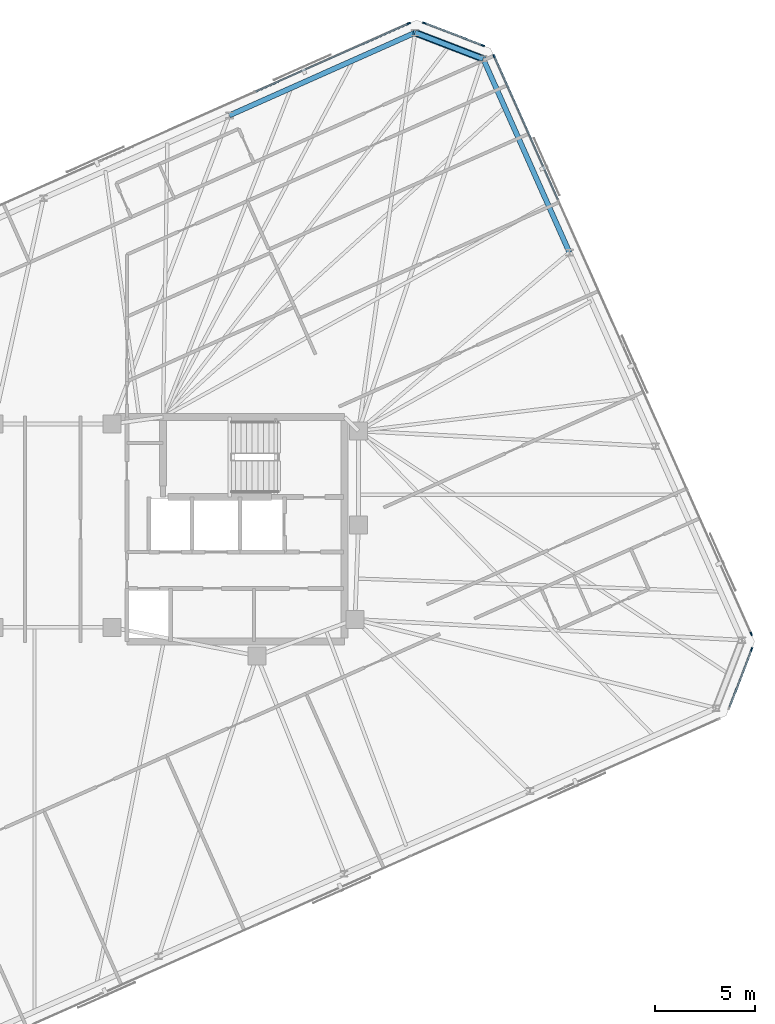
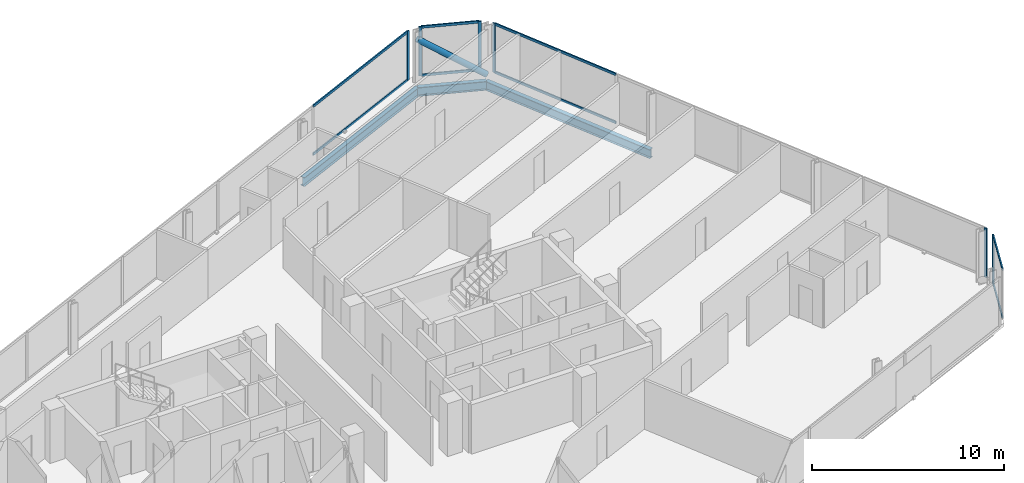
# One storey, part 11 of 19: 15 members, 3 beams, 4 elements without a shape of their own.
"""IFC4 building model written with IfcOpenShell, lengths in metres."""

import ifcopenshell
import ifcopenshell.guid

model = None  # the IFC model being written
_history = None  # IfcOwnerHistory: only IFC2X3 demands one
_inside = {}  # id of a spatial element -> (the spatial element, [elements in it])
_under = {}  # id of a project, library or spatial element -> (it, [spatial elements below it])
_declared = {}  # id of a project -> (the project, [libraries it declares])
_typed = {}  # id of a type object -> (the type object, [elements of that type])
_made_of = {}  # id of a material, layer set ... -> (it, [elements and type objects made of it])


def new_model(schema):
    """Start an empty IFC model of exactly this schema.

    Asked for "IFC4X3", IfcOpenShell would pick the latest addendum, in which some entities
    have other attributes; the version numbers below select the first issue.
    IFC2X3 requires an IfcOwnerHistory on every rooted entity: one is made here for all.
    """
    global model, _history
    if schema == "IFC4X3":
        model = ifcopenshell.file(schema_version=(4, 3, 0, 0))
    else:
        model = ifcopenshell.file(schema=schema)
    _inside.clear()
    _under.clear()
    _declared.clear()
    _typed.clear()
    _made_of.clear()
    _history = None
    if model.schema == "IFC2X3":
        org = make("IfcOrganization", Name="unknown")
        user = make(
            "IfcPersonAndOrganization",
            ThePerson=make("IfcPerson", FamilyName="unknown"),
            TheOrganization=org,
        )
        app = make(
            "IfcApplication",
            ApplicationDeveloper=org,
            Version="unknown",
            ApplicationFullName="unknown",
            ApplicationIdentifier="unknown",
        )
        _history = make(
            "IfcOwnerHistory",
            OwningUser=user,
            OwningApplication=app,
            ChangeAction="ADDED",
            CreationDate=0,
        )
    return model


def make(cls, **values):
    """One entity of the class cls with the attributes given. An attribute that is None is left unset."""
    return model.create_entity(
        cls, **{name: value for name, value in values.items() if value is not None}
    )


def rooted(cls, **values):
    """An entity with a GlobalId (a new one), such as an element, a storey or a relation."""
    return make(cls, GlobalId=ifcopenshell.guid.new(), OwnerHistory=_history, **values)


def si_unit(unit_type, name, prefix=None):
    """IfcSIUnit, for example si_unit("LENGTHUNIT", "METRE", prefix="MILLI")."""
    return make("IfcSIUnit", UnitType=unit_type, Prefix=prefix, Name=name)


def assignment(units):
    """IfcUnitAssignment: the units of a project."""
    return None if units is None else make("IfcUnitAssignment", Units=units)


def point(xyz):
    """IfcCartesianPoint."""
    return None if xyz is None else make("IfcCartesianPoint", Coordinates=xyz)


def direction(xyz):
    """IfcDirection."""
    return None if xyz is None else make("IfcDirection", DirectionRatios=xyz)


def frame(location, z_axis=None, x_axis=None):
    """IfcAxis2Placement3D, a coordinate frame: its origin and axes. An axis left out is left unset."""
    return make(
        "IfcAxis2Placement3D",
        Location=point(location),
        Axis=direction(z_axis),
        RefDirection=direction(x_axis),
    )


def frame_2d(location, x_axis=None):
    """IfcAxis2Placement2D, a coordinate frame in the plane: its origin and x axis."""
    return make(
        "IfcAxis2Placement2D", Location=point(location), RefDirection=direction(x_axis)
    )


def origin():
    """The frame at (0, 0, 0) with its axes left unset."""
    return frame((0.0, 0.0, 0.0))


def origin_2d():
    """The frame at (0, 0) in the plane with its x axis left unset."""
    return frame_2d((0.0, 0.0))


def place(relative_to, where):
    """IfcLocalPlacement: puts the frame where relative to a parent placement (None: the world)."""
    return make(
        "IfcLocalPlacement", PlacementRelTo=relative_to, RelativePlacement=where
    )


def context(
    kind, dimensions, precision=None, world=None, true_north=None, identifier=None
):
    """IfcGeometricRepresentationContext, for example the 3D "Model" context."""
    return make(
        "IfcGeometricRepresentationContext",
        ContextIdentifier=identifier,
        ContextType=kind,
        CoordinateSpaceDimension=dimensions,
        Precision=precision,
        WorldCoordinateSystem=world,
        TrueNorth=true_north,
    )


def subcontext(parent, identifier, kind, view, scale=None):
    """IfcGeometricRepresentationSubContext, for example "Body" below "Model"."""
    return make(
        "IfcGeometricRepresentationSubContext",
        ContextIdentifier=identifier,
        ContextType=kind,
        ParentContext=parent,
        TargetScale=scale,
        TargetView=view,
    )


def project(units=None, contexts=None):
    """IfcProject with its units and contexts."""
    return rooted(
        "IfcProject",
        Name="project",
        RepresentationContexts=contexts,
        UnitsInContext=assignment(units),
    )


def spatial(cls, under=None, at=None, **own):
    """A site, building, storey or space (cls), placed at a placement, below another one or the project."""
    s = rooted(cls, ObjectPlacement=at, **own)
    if under is not None:
        _under.setdefault(under.id(), (under, []))[1].append(s)
    return s


def profile(cls, at=None, kind="AREA", **sizes):
    """A parametric profile (cls). Its sizes go by their IFC names, for example OverallWidth=200.0."""
    return make(cls, ProfileType=kind, Position=at, **sizes)


def rectangle(**sizes):
    """IfcRectangleProfileDef."""
    return profile("IfcRectangleProfileDef", **sizes)


def hollow_circle(**sizes):
    """IfcCircleHollowProfileDef."""
    return profile("IfcCircleHollowProfileDef", **sizes)


def i_section(**sizes):
    """IfcIShapeProfileDef."""
    return profile("IfcIShapeProfileDef", **sizes)


def extrude(swept, where, along, depth):
    """IfcExtrudedAreaSolid: the profile swept, set in the frame where, extruded along a direction by depth."""
    return make(
        "IfcExtrudedAreaSolid",
        SweptArea=swept,
        Position=where,
        ExtrudedDirection=direction(along),
        Depth=depth,
    )


def shape(context_of_items, identifier, shape_type, items):
    """IfcShapeRepresentation: the items that make up one representation, for example the "Body"."""
    return make(
        "IfcShapeRepresentation",
        ContextOfItems=context_of_items,
        RepresentationIdentifier=identifier,
        RepresentationType=shape_type,
        Items=items,
    )


def material(Name=None, Category=None):
    """IfcMaterial."""
    return make("IfcMaterial", Name=Name, Category=Category)


def material_profile(
    of_material, cross_section, Name=None, Category=None, Priority=None
):
    """IfcMaterialProfile: a cross section and its material."""
    return make(
        "IfcMaterialProfile",
        Name=Name,
        Material=of_material,
        Profile=cross_section,
        Priority=Priority,
        Category=Category,
    )


def profile_set(profiles, Name=None, composite=None):
    """IfcMaterialProfileSet."""
    return make(
        "IfcMaterialProfileSet",
        Name=Name,
        MaterialProfiles=profiles,
        CompositeProfile=composite,
    )


def made_of(thing, what):
    """Note that an element or type object is made of a material, layer set ...; save() writes the relation."""
    if what is not None:
        _made_of.setdefault(what.id(), (what, []))[1].append(thing)
    return thing


def type_object(cls, material=None, **own):
    """A type object (cls), such as IfcWallType, which elements share."""
    return made_of(rooted(cls, **own), material)


def element(
    cls,
    number,
    at=None,
    inside=None,
    cuts=None,
    type_object=None,
    material=None,
    context=None,
    identifier="Body",
    shape_type=None,
    held_by="IfcProductDefinitionShape",
    body=None,
    shapes=None,
    **own,
):
    """One element of the class cls, such as IfcWall. Its Tag is "e" and its number.

    at: its placement. inside: the storey or other place that contains it. cuts: it is an
    opening in that element (IfcRelVoidsElement). A single representation is given by context,
    identifier, shape_type and body (its items); several are given by shapes. held_by: the class
    of the entity that holds the representations. save() writes the other relations.
    """
    e = rooted(cls, Tag="e%d" % number, ObjectPlacement=at, **own)
    if body is not None:
        shapes = [shape(context, identifier, shape_type, body)]
    if shapes is not None:
        e.Representation = make(held_by, Representations=shapes)
    if inside is not None:
        _inside.setdefault(inside.id(), (inside, []))[1].append(e)
    if cuts is not None:
        rooted(
            "IfcRelVoidsElement", RelatingBuildingElement=cuts, RelatedOpeningElement=e
        )
    if type_object is not None:
        _typed.setdefault(type_object.id(), (type_object, []))[1].append(e)
    return made_of(e, material)


def aggregate(whole, parts):
    """IfcRelAggregates: a whole, such as a stair, and the parts it consists of."""
    return rooted("IfcRelAggregates", RelatingObject=whole, RelatedObjects=parts)


def save(model, path):
    """Write the relations noted so far, then the file.

    IfcRelAggregates (storeys below a building ...), IfcRelContainedInSpatialStructure (elements
    in a storey), IfcRelDefinesByType, IfcRelAssociatesMaterial and IfcRelDeclares: one each for
    every whole, place, type object, material and project.
    """
    for whole, parts in _under.values():
        aggregate(whole, parts)
    for where, things in _inside.values():
        rooted(
            "IfcRelContainedInSpatialStructure",
            RelatedElements=things,
            RelatingStructure=where,
        )
    for kind, things in _typed.values():
        rooted("IfcRelDefinesByType", RelatedObjects=things, RelatingType=kind)
    for what, things in _made_of.values():
        rooted("IfcRelAssociatesMaterial", RelatedObjects=things, RelatingMaterial=what)
    for by, libraries in _declared.values():
        rooted("IfcRelDeclares", RelatingContext=by, RelatedDefinitions=libraries)
    model.write(path)


model = new_model("IFC4")

# Units and contexts
model_context = context("Model", 3, precision=1e-05, world=origin(), true_north=direction((0.0, 1.0)))
body_context = subcontext(model_context, "Body", "Model", "MODEL_VIEW")
ifc_project = project(units=[si_unit("LENGTHUNIT", "METRE"), si_unit("AREAUNIT", "SQUARE_METRE"), si_unit("VOLUMEUNIT", "CUBIC_METRE"), si_unit("PLANEANGLEUNIT", "RADIAN"), si_unit("MASSUNIT", "GRAM", prefix="KILO")], contexts=[model_context])

# Site, building, storey
site_placement = place(None, origin())
site = spatial("IfcSite", under=ifc_project, at=site_placement, CompositionType="ELEMENT")
building_placement = place(site_placement, origin())
building = spatial("IfcBuilding", under=site, at=building_placement, Name="Menara Jurai Vektor", CompositionType="ELEMENT")
storey_placement = place(building_placement, frame((0.0, 0.0, 262.199951171875)))
storey = spatial("IfcBuildingStorey", under=building, at=storey_placement, Name="L70", CompositionType="ELEMENT", Elevation=262.199951171875)

# Curtain wall, member
ifc_material_1 = material(Name="Anodised Pale Aluminium & Low-E Double Glazing", Category="aluminium")
curtain_wall_type = type_object("IfcCurtainWallType", Name="CW-BLK5", PredefinedType="NOTDEFINED", material=ifc_material_1)
curtain_wall_1_placement = place(storey_placement, origin())
curtain_wall_1 = element("IfcCurtainWall", 1, at=curtain_wall_1_placement, inside=storey, type_object=curtain_wall_type, Name="Unitised Curtain Wall L70 F02", PredefinedType="NOTDEFINED")
ifc_material_2 = material(Name="Anodised Pale Aluminium Mullion", Category="aluminium")
ifc_material_profile_1 = material_profile(ifc_material_2, rectangle(XDim=0.074951171875, YDim=0.175048828125, at=origin_2d()), Name="ALU MUL 75x175")
ifc_profile_set_1 = profile_set([ifc_material_profile_1], Name="Anodised Pale Aluminium Mullion")
member_type_1 = type_object("IfcMemberType", Name="CW-BLK5-MUL", PredefinedType="MULLION", material=ifc_profile_set_1)
member_1_placement = place(storey_placement, frame((34.87548828125, -5.997314453125, 0.0), z_axis=(0.0, 0.0, 1.0), x_axis=(-0.933578193639, 0.358373766287, 0.0)))
member_1 = element("IfcMember", 2, at=member_1_placement, type_object=member_type_1, Name="CW-05 mullion 2", PredefinedType="MULLION", context=body_context, shape_type="SweptSolid", body=[
    extrude(rectangle(XDim=0.074951171875, YDim=0.175048828125, at=origin_2d()), origin(), (0.0, 0.0, 1.0), 3.125),
])

# Curtain wall, members
curtain_wall_2_placement = place(storey_placement, origin())
curtain_wall_2 = element("IfcCurtainWall", 3, at=curtain_wall_2_placement, inside=storey, type_object=curtain_wall_type, Name="Unitised Curtain Wall L70 F03", PredefinedType="NOTDEFINED")
member_2_placement = place(storey_placement, frame((34.85546875, -5.22607421875, 0.0), z_axis=(0.0, 0.0, 1.0), x_axis=(-0.913546127706, -0.406735138086, 0.0)))
member_2 = element("IfcMember", 4, at=member_2_placement, type_object=member_type_1, Name="CW-05 mullion 1", PredefinedType="MULLION", context=body_context, shape_type="SweptSolid", body=[
    extrude(rectangle(XDim=0.074951171875, YDim=0.175048828125, at=origin_2d()), origin(), (0.0, 0.0, 1.0), 3.125),
])
member_3_placement = place(storey_placement, frame((22.016845703125, 23.610107421875, 0.0), z_axis=(0.0, 0.0, 1.0), x_axis=(-0.913546127706, -0.406735138086, 0.0)))
member_3 = element("IfcMember", 5, at=member_3_placement, type_object=member_type_1, Name="CW-05 mullion 5", PredefinedType="MULLION", context=body_context, shape_type="SweptSolid", body=[
    extrude(rectangle(XDim=0.074951171875, YDim=0.175048828125, at=origin_2d()), origin(), (0.0, 0.0, 1.0), 3.125),
])

curtain_wall_3_placement = place(storey_placement, origin())
curtain_wall_3 = element("IfcCurtainWall", 6, at=curtain_wall_3_placement, inside=storey, type_object=curtain_wall_type, Name="Unitised Curtain Wall L70 F04", PredefinedType="NOTDEFINED")
member_4_placement = place(storey_placement, frame((21.45703125, 24.14111328125, 0.0), z_axis=(0.0, 0.0, 1.0), x_axis=(-0.358373766287, -0.933578193639, 0.0)))
member_4 = element("IfcMember", 7, at=member_4_placement, type_object=member_type_1, Name="CW-05 mullion 1", PredefinedType="MULLION", context=body_context, shape_type="SweptSolid", body=[
    extrude(rectangle(XDim=0.074951171875, YDim=0.175048828125, at=origin_2d()), origin(), (0.0, 0.0, 1.0), 3.125),
])
member_5_placement = place(storey_placement, frame((18.539794921875, 25.2607421875, 0.0), z_axis=(0.0, 0.0, 1.0), x_axis=(-0.358373766287, -0.933578193639, 0.0)))
member_5 = element("IfcMember", 8, at=member_5_placement, type_object=member_type_1, Name="CW-05 mullion 2", PredefinedType="MULLION", context=body_context, shape_type="SweptSolid", body=[
    extrude(rectangle(XDim=0.074951171875, YDim=0.175048828125, at=origin_2d()), origin(), (0.0, 0.0, 1.0), 3.125),
])

# Curtain wall, member
curtain_wall_4_placement = place(storey_placement, origin())
curtain_wall_4 = element("IfcCurtainWall", 9, at=curtain_wall_4_placement, inside=storey, type_object=curtain_wall_type, Name="Unitised Curtain Wall L70 F05", PredefinedType="NOTDEFINED")
member_6_placement = place(storey_placement, frame((17.768798828125, 25.24072265625, 0.0), z_axis=(0.0, 0.0, 1.0), x_axis=(0.406735498684, -0.913545967158, 0.0)))
member_6 = element("IfcMember", 10, at=member_6_placement, type_object=member_type_1, Name="CW-05 mullion 1", PredefinedType="MULLION", context=body_context, shape_type="SweptSolid", body=[
    extrude(rectangle(XDim=0.074951171875, YDim=0.175048828125, at=origin_2d()), origin(), (0.0, 0.0, 1.0), 3.125),
])

# Member
ifc_material_3 = material(Name="Anodised Pale Aluminium Transom", Category="aluminium")
ifc_material_profile_2 = material_profile(ifc_material_3, rectangle(XDim=0.074951171875, YDim=0.155029296875, at=origin_2d()), Name="ALU TRN 75x155")
ifc_profile_set_2 = profile_set([ifc_material_profile_2], Name="Anodised Pale Aluminium Transom")
member_type_2 = type_object("IfcMemberType", Name="CW-BLK5-TRN", PredefinedType="USERDEFINED", material=ifc_profile_set_2)
member_7_placement = place(storey_placement, frame((33.769287109375, -8.87939453125, 0.03759765625), z_axis=(0.358324523823, 0.933597094911, 0.0), x_axis=(-0.933597094911, 0.358324523823, 0.0)))
member_7 = element("IfcMember", 11, at=member_7_placement, type_object=member_type_2, Name="CW-05 transom 1.1", ObjectType="TRANSOM", PredefinedType="USERDEFINED", context=body_context, shape_type="SweptSolid", body=[
    extrude(rectangle(XDim=0.074951171875, YDim=0.155029296875, at=origin_2d()), origin(), (0.0, 0.0, 1.0), 3.049560546875),
])

member_8_placement = place(storey_placement, frame((33.769287109375, -8.87939453125, 3.087646484375), z_axis=(0.358324523823, 0.933597094911, 0.0), x_axis=(-0.933597094911, 0.358324523823, 0.0)))
member_8 = element("IfcMember", 12, at=member_8_placement, type_object=member_type_2, Name="CW-05 transom 1.2", ObjectType="TRANSOM", PredefinedType="USERDEFINED", context=body_context, shape_type="SweptSolid", body=[
    extrude(rectangle(XDim=0.074951171875, YDim=0.155029296875, at=origin_2d()), origin(), (0.0, 0.0, 1.0), 3.049560546875),
])

aggregate(curtain_wall_1, [member_1, member_7, member_8])

member_9_placement = place(storey_placement, frame((25.20361328125, 16.452392578125, 0.03759765625), z_axis=(-0.406751345283, 0.913538911656, 0.0), x_axis=(-0.913538911656, -0.406751345283, 0.0)))
member_9 = element("IfcMember", 13, at=member_9_placement, type_object=member_type_2, Name="CW-05 transom 4.1", ObjectType="TRANSOM", PredefinedType="USERDEFINED", context=body_context, shape_type="SweptSolid", body=[
    extrude(rectangle(XDim=0.074951171875, YDim=0.155029296875, at=origin_2d()), origin(), (0.0, 0.0, 1.0), 7.79736328125),
])

member_10_placement = place(storey_placement, frame((25.20361328125, 16.452392578125, 3.087646484375), z_axis=(-0.406751345283, 0.913538911656, 0.0), x_axis=(-0.913538911656, -0.406751345283, 0.0)))
member_10 = element("IfcMember", 14, at=member_10_placement, type_object=member_type_2, Name="CW-05 transom 4.2", ObjectType="TRANSOM", PredefinedType="USERDEFINED", context=body_context, shape_type="SweptSolid", body=[
    extrude(rectangle(XDim=0.074951171875, YDim=0.155029296875, at=origin_2d()), origin(), (0.0, 0.0, 1.0), 7.79736328125),
])

aggregate(curtain_wall_2, [member_2, member_3, member_9, member_10])

member_11_placement = place(storey_placement, frame((21.422119140625, 24.154541015625, 0.03759765625), z_axis=(-0.933597094911, 0.358324523823, 0.0), x_axis=(-0.358324523823, -0.933597094911, 0.0)))
member_11 = element("IfcMember", 15, at=member_11_placement, type_object=member_type_2, Name="CW-05 transom 1.1", ObjectType="TRANSOM", PredefinedType="USERDEFINED", context=body_context, shape_type="SweptSolid", body=[
    extrude(rectangle(XDim=0.074951171875, YDim=0.155029296875, at=origin_2d()), origin(), (0.0, 0.0, 1.0), 3.049560546875),
])

member_12_placement = place(storey_placement, frame((21.422119140625, 24.154541015625, 3.087646484375), z_axis=(-0.933597094911, 0.358324523823, 0.0), x_axis=(-0.358324523823, -0.933597094911, 0.0)))
member_12 = element("IfcMember", 16, at=member_12_placement, type_object=member_type_2, Name="CW-05 transom 1.2", ObjectType="TRANSOM", PredefinedType="USERDEFINED", context=body_context, shape_type="SweptSolid", body=[
    extrude(rectangle(XDim=0.074951171875, YDim=0.155029296875, at=origin_2d()), origin(), (0.0, 0.0, 1.0), 3.049560546875),
])

aggregate(curtain_wall_3, [member_4, member_5, member_11, member_12])

member_13_placement = place(storey_placement, frame((17.734375, 25.225341796875, 0.03759765625), z_axis=(-0.913549007168, -0.406728670618, 0.0), x_axis=(0.406728670618, -0.913549007168, 0.0)))
member_13 = element("IfcMember", 17, at=member_13_placement, type_object=member_type_2, Name="CW-05 transom 1.1", ObjectType="TRANSOM", PredefinedType="USERDEFINED", context=body_context, shape_type="SweptSolid", body=[
    extrude(rectangle(XDim=0.074951171875, YDim=0.155029296875, at=origin_2d()), origin(), (0.0, 0.0, 1.0), 8.327392578125),
])

member_14_placement = place(storey_placement, frame((17.734375, 25.225341796875, 3.087646484375), z_axis=(-0.913549007168, -0.406728670618, 0.0), x_axis=(0.406728670618, -0.913549007168, 0.0)))
member_14 = element("IfcMember", 18, at=member_14_placement, type_object=member_type_2, Name="CW-05 transom 1.2", ObjectType="TRANSOM", PredefinedType="USERDEFINED", context=body_context, shape_type="SweptSolid", body=[
    extrude(rectangle(XDim=0.074951171875, YDim=0.155029296875, at=origin_2d()), origin(), (0.0, 0.0, 1.0), 8.327392578125),
])

aggregate(curtain_wall_4, [member_6, member_13, member_14])

ifc_material_4 = material(Name="Steel S460", Category="steel")
ifc_material_profile_3 = material_profile(ifc_material_4, hollow_circle(Radius=0.177734375, WallThickness=0.01611328125, at=origin_2d()), Name="CHS 355.6x16")
ifc_profile_set_3 = profile_set([ifc_material_profile_3], Name="Steel S460")
member_type_3 = type_object("IfcMemberType", Name="STR-BR-356", PredefinedType="BRACE", material=ifc_profile_set_3)
member_15_placement = place(storey_placement, frame((21.4755859375, 23.473388671875, 0.150146484375), z_axis=(-0.757042028889, 0.2906257681, 0.585170085882), x_axis=(-0.358394346877, -0.933570293083, 0.0)))
element("IfcMember", 19, at=member_15_placement, inside=storey, type_object=member_type_3, Name="Exoskeleton Corner Brace L70-2", PredefinedType="BRACE", context=body_context, shape_type="SweptSolid", body=[
    extrude(hollow_circle(Radius=0.177734375, WallThickness=0.01611328125, at=origin_2d()), origin(), (0.0, 0.0, 1.0), 4.48583984375),
])

# Beams
ifc_material_5 = material(Name="Steel S355", Category="steel")
ifc_material_profile_4 = material_profile(ifc_material_5, i_section(OverallWidth=0.260009765625, OverallDepth=0.570068359375, WebThickness=0.013916015625, FlangeThickness=0.02392578125, at=origin_2d()), Name="PG 570x260x145")
ifc_profile_set_4 = profile_set([ifc_material_profile_4], Name="Steel S355")
beam_type = type_object("IfcBeamType", Name="STR-SP-570", PredefinedType="SPANDREL", material=ifc_profile_set_4)
beam_1_placement = place(storey_placement, frame((25.781005859375, 13.80322265625, -0.510009765625), z_axis=(-0.40673543049, 0.91354599752, 0.0), x_axis=(-0.91354599752, -0.40673543049, 0.0)))
element("IfcBeam", 20, at=beam_1_placement, inside=storey, type_object=beam_type, Name="Exoskeleton Spandrel Beam L70-09", PredefinedType="SPANDREL", context=body_context, shape_type="SweptSolid", body=[
    extrude(i_section(OverallWidth=0.260009765625, OverallDepth=0.570068359375, WebThickness=0.013916015625, FlangeThickness=0.02392578125, at=origin_2d()), origin(), (0.0, 0.0, 1.0), 10.585205078125),
])
beam_2_placement = place(storey_placement, frame((21.4755859375, 23.473388671875, -0.510009765625), z_axis=(-0.933570293083, 0.358394346877, 0.0), x_axis=(-0.358394346877, -0.933570293083, 0.0)))
element("IfcBeam", 21, at=beam_2_placement, inside=storey, type_object=beam_type, Name="Exoskeleton Spandrel Beam L70-10", PredefinedType="SPANDREL", context=body_context, shape_type="SweptSolid", body=[
    extrude(i_section(OverallWidth=0.260009765625, OverallDepth=0.570068359375, WebThickness=0.013916015625, FlangeThickness=0.02392578125, at=origin_2d()), origin(), (0.0, 0.0, 1.0), 3.6376953125),
])
beam_3_placement = place(storey_placement, frame((18.07958984375, 24.777099609375, -0.510009765625), z_axis=(-0.913545561407, -0.406736410017, 0.0), x_axis=(0.406736410017, -0.913545561407, 0.0)))
element("IfcBeam", 22, at=beam_3_placement, inside=storey, type_object=beam_type, Name="Exoskeleton Spandrel Beam L70-11", PredefinedType="SPANDREL", context=body_context, shape_type="SweptSolid", body=[
    extrude(i_section(OverallWidth=0.260009765625, OverallDepth=0.570068359375, WebThickness=0.013916015625, FlangeThickness=0.02392578125, at=origin_2d()), origin(), (0.0, 0.0, 1.0), 10.1513671875),
])

save(model, "model.ifc")
